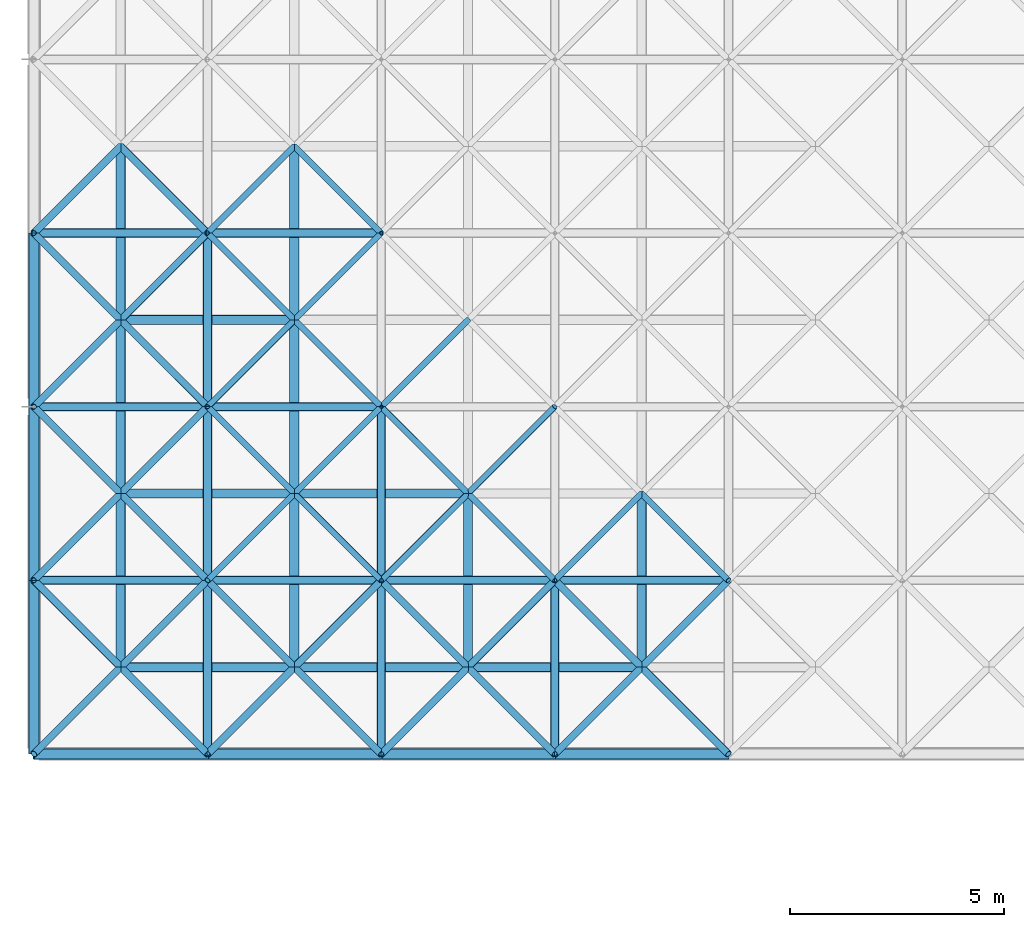
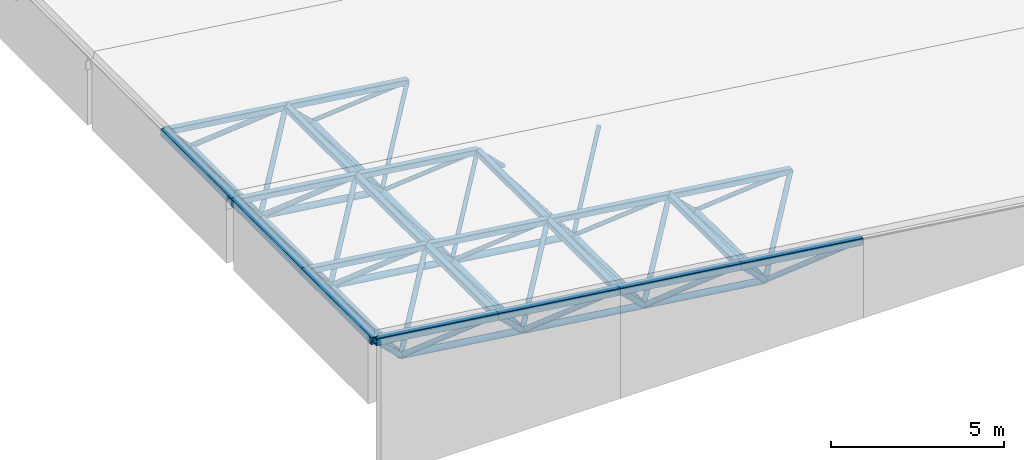
# One storey, part 14 of 70: 78 members.
"""IFC4 building model written with IfcOpenShell, lengths in metres."""

from ifc_helpers import new_model, si_unit, direction, frame, origin, origin_2d, place, context, subcontext, project, spatial, hollow_rectangle, hollow_circle, extrude, material, material_profile, profile_set, type_object, element, save


model = new_model("IFC4")

# Units and contexts
model_context = context("Model", 3, precision=1e-05, world=origin(), true_north=direction((0.0, 1.0)))
body_context = subcontext(model_context, "Body", "Model", "MODEL_VIEW")
ifc_project = project(units=[si_unit("LENGTHUNIT", "METRE"), si_unit("AREAUNIT", "SQUARE_METRE"), si_unit("VOLUMEUNIT", "CUBIC_METRE"), si_unit("PLANEANGLEUNIT", "RADIAN"), si_unit("MASSUNIT", "GRAM", prefix="KILO")], contexts=[model_context])

# Site, building, storey
site_placement = place(None, origin())
site = spatial("IfcSite", under=ifc_project, at=site_placement, CompositionType="ELEMENT")
building_placement = place(site_placement, origin())
building = spatial("IfcBuilding", under=site, at=building_placement, Name="Vaudrelin Polytechnic", CompositionType="ELEMENT")
storey_placement = place(building_placement, frame((0.0, 0.0, 14.110107421875)))
storey = spatial("IfcBuildingStorey", under=building, at=storey_placement, Name="L03", CompositionType="ELEMENT", Elevation=14.110107421875)

# Members
ifc_material = material(Name="Steel CSA G40.21 350WT", Category="steel")
ifc_material_profile_1 = material_profile(ifc_material, hollow_circle(Radius=0.109619140625, WallThickness=0.010986328125, at=origin_2d()), Name="CHS219.1x11.1")
ifc_profile_set_1 = profile_set([ifc_material_profile_1], Name="Steel CSA G40.21 350WT")
member_type_1 = type_object("IfcMemberType", Name="MEM-SF-BC1", PredefinedType="CHORD", material=ifc_profile_set_1)
for number, where, z_axis, x_axis, name in (
    (1, (2.02490234375, 42.52490234375, 2.038818359375), (0.991444732077, 0.0, -0.130527174324), (0.0, 1.0, 0.0), "Space frame bottom chord X 1-1"),
    (2, (6.074951171875, 42.52490234375, 1.505615234375), (0.991444732077, 0.0, -0.130527174324), (0.0, 1.0, 0.0), "Space frame bottom chord X 2-1"),
    (3, (10.125, 42.52490234375, 0.972412109375), (0.991444732077, 0.0, -0.130527174324), (0.0, 1.0, 0.0), "Space frame bottom chord X 3-1"),
    (4, (2.02490234375, 46.574951171875, 2.038818359375), (0.991444732077, 0.0, -0.130527174324), (0.0, 1.0, 0.0), "Space frame bottom chord X 1-2"),
    (5, (6.074951171875, 46.574951171875, 1.505615234375), (0.991444732077, 0.0, -0.130527174324), (0.0, 1.0, 0.0), "Space frame bottom chord X 2-2"),
    (6, (2.02490234375, 50.625, 2.038818359375), (0.991444732077, 0.0, -0.130527174324), (0.0, 1.0, 0.0), "Space frame bottom chord X 1-3"),
):
    element("IfcMember", number, at=place(storey_placement, frame(where, z_axis=z_axis, x_axis=x_axis)), inside=storey, type_object=member_type_1, Name=name, PredefinedType="CHORD", context=body_context, shape_type="SweptSolid", body=[
        extrude(hollow_circle(Radius=0.109619140625, WallThickness=0.010986328125, at=origin_2d()), origin(), (0.0, 0.0, 1.0), 4.0849609375),
    ])
for number, where, z_axis, x_axis, name in (
    (7, (2.02490234375, 42.52490234375, 2.038818359375), (0.0, 1.0, 0.0), (-1.0, 0.0, 0.0), "Space frame bottom chord Y 1-1"),
    (8, (2.02490234375, 46.574951171875, 2.038818359375), (0.0, 1.0, 0.0), (-1.0, 0.0, 0.0), "Space frame bottom chord Y 1-2"),
    (9, (2.02490234375, 50.625, 2.038818359375), (0.0, 1.0, 0.0), (-1.0, 0.0, 0.0), "Space frame bottom chord Y 1-3"),
    (10, (6.074951171875, 42.52490234375, 1.505615234375), (0.0, 1.0, 0.0), (-1.0, 0.0, 0.0), "Space frame bottom chord Y 2-1"),
    (11, (6.074951171875, 46.574951171875, 1.505615234375), (0.0, 1.0, 0.0), (-1.0, 0.0, 0.0), "Space frame bottom chord Y 2-2"),
    (12, (6.074951171875, 50.625, 1.505615234375), (0.0, 1.0, 0.0), (-1.0, 0.0, 0.0), "Space frame bottom chord Y 2-3"),
    (13, (10.125, 42.52490234375, 0.972412109375), (0.0, 1.0, 0.0), (-1.0, 0.0, 0.0), "Space frame bottom chord Y 3-1"),
    (14, (14.175048828125, 42.52490234375, 0.439208984375), (0.0, 1.0, 0.0), (-1.0, 0.0, 0.0), "Space frame bottom chord Y 4-1"),
):
    element("IfcMember", number, at=place(storey_placement, frame(where, z_axis=z_axis, x_axis=x_axis)), inside=storey, type_object=member_type_1, Name=name, PredefinedType="CHORD", context=body_context, shape_type="SweptSolid", body=[
        extrude(hollow_circle(Radius=0.109619140625, WallThickness=0.010986328125, at=origin_2d()), origin(), (0.0, 0.0, 1.0), 4.050048828125),
    ])
ifc_material_profile_2 = material_profile(ifc_material, hollow_rectangle(XDim=0.202880859375, YDim=0.202880859375, WallThickness=0.009521484375, InnerFilletRadius=0.009521484375, OuterFilletRadius=0.01904296875, at=origin_2d()), Name="HSS203x203x9.5")
ifc_profile_set_2 = profile_set([ifc_material_profile_2], Name="Steel CSA G40.21 350WT")
member_type_2 = type_object("IfcMemberType", Name="MEM-SF-TC1", PredefinedType="CHORD", material=ifc_profile_set_2)
for number, where, z_axis, x_axis, name in (
    (15, (0.0, 44.550048828125, 4.50537109375), (0.991444732077, 0.0, -0.130527174324), (0.0, 1.0, 0.0), "Space frame top chord X 1-2"),
    (16, (4.050048828125, 44.550048828125, 3.97216796875), (0.991452464639, 0.0, -0.130468426687), (0.0, 1.0, 0.0), "Space frame top chord X 2-2"),
):
    element("IfcMember", number, at=place(storey_placement, frame(where, z_axis=z_axis, x_axis=x_axis)), inside=storey, type_object=member_type_2, Name=name, PredefinedType="CHORD", context=body_context, shape_type="SweptSolid", body=[
        extrude(hollow_rectangle(XDim=0.202880859375, YDim=0.202880859375, WallThickness=0.009521484375, InnerFilletRadius=0.009521484375, OuterFilletRadius=0.01904296875, at=origin_2d()), origin(), (0.0, 0.0, 1.0), 4.0849609375),
    ])
member_1_placement = place(storey_placement, frame((8.10009765625, 44.550048828125, 3.439208984375), z_axis=(0.991443713746, 0.0, -0.13053490902), x_axis=(0.0, 1.0, 0.0)))
element("IfcMember", 17, at=member_1_placement, inside=storey, type_object=member_type_2, Name="Space frame top chord X 3-2", PredefinedType="CHORD", context=body_context, shape_type="SweptSolid", body=[
    extrude(hollow_rectangle(XDim=0.202880859375, YDim=0.202880859375, WallThickness=0.009521484375, InnerFilletRadius=0.009521484375, OuterFilletRadius=0.01904296875, at=origin_2d()), origin(), (0.0, 0.0, 1.0), 4.084716796875),
])
for number, where, z_axis, x_axis, name in (
    (18, (12.14990234375, 44.550048828125, 2.906005859375), (0.991444732077, 0.0, -0.130527174324), (0.0, 1.0, 0.0), "Space frame top chord X 4-2"),
    (19, (0.0, 48.60009765625, 4.50537109375), (0.991444732077, 0.0, -0.130527174324), (0.0, 1.0, 0.0), "Space frame top chord X 1-3"),
    (20, (4.050048828125, 48.60009765625, 3.97216796875), (0.991452464639, 0.0, -0.130468426687), (0.0, 1.0, 0.0), "Space frame top chord X 2-3"),
    (21, (0.0, 52.64990234375, 4.50537109375), (0.991444732077, 0.0, -0.130527174324), (0.0, 1.0, 0.0), "Space frame top chord X 1-4"),
    (22, (4.050048828125, 52.64990234375, 3.97216796875), (0.991452464639, 0.0, -0.130468426687), (0.0, 1.0, 0.0), "Space frame top chord X 2-4"),
):
    element("IfcMember", number, at=place(storey_placement, frame(where, z_axis=z_axis, x_axis=x_axis)), inside=storey, type_object=member_type_2, Name=name, PredefinedType="CHORD", context=body_context, shape_type="SweptSolid", body=[
        extrude(hollow_rectangle(XDim=0.202880859375, YDim=0.202880859375, WallThickness=0.009521484375, InnerFilletRadius=0.009521484375, OuterFilletRadius=0.01904296875, at=origin_2d()), origin(), (0.0, 0.0, 1.0), 4.0849609375),
    ])
for number, where, z_axis, x_axis, name in (
    (23, (4.050048828125, 40.5, 3.97216796875), (0.0, 1.0, 0.0), (-1.0, 0.0, 0.0), "Space frame top chord Y 2-1"),
    (24, (4.050048828125, 44.550048828125, 3.97216796875), (0.0, 1.0, 0.0), (-1.0, 0.0, 0.0), "Space frame top chord Y 2-2"),
):
    element("IfcMember", number, at=place(storey_placement, frame(where, z_axis=z_axis, x_axis=x_axis)), inside=storey, type_object=member_type_2, Name=name, PredefinedType="CHORD", context=body_context, shape_type="SweptSolid", body=[
        extrude(hollow_rectangle(XDim=0.202880859375, YDim=0.202880859375, WallThickness=0.009521484375, InnerFilletRadius=0.009521484375, OuterFilletRadius=0.01904296875, at=origin_2d()), origin(), (0.0, 0.0, 1.0), 4.050048828125),
    ])
member_2_placement = place(storey_placement, frame((4.050048828125, 48.60009765625, 3.97216796875), z_axis=(0.0, 1.0, 0.0), x_axis=(-1.0, 0.0, 0.0)))
element("IfcMember", 25, at=member_2_placement, inside=storey, type_object=member_type_2, Name="Space frame top chord Y 2-3", PredefinedType="CHORD", context=body_context, shape_type="SweptSolid", body=[
    extrude(hollow_rectangle(XDim=0.202880859375, YDim=0.202880859375, WallThickness=0.009521484375, InnerFilletRadius=0.009521484375, OuterFilletRadius=0.01904296875, at=origin_2d()), origin(), (0.0, 0.0, 1.0), 4.0498046875),
])
for number, where, z_axis, x_axis, name in (
    (26, (8.10009765625, 40.5, 3.439208984375), (0.0, 1.0, 0.0), (-1.0, 0.0, 0.0), "Space frame top chord Y 3-1"),
    (27, (8.10009765625, 44.550048828125, 3.439208984375), (0.0, 1.0, 0.0), (-1.0, 0.0, 0.0), "Space frame top chord Y 3-2"),
    (28, (12.14990234375, 40.5, 2.906005859375), (0.0, 1.0, 0.0), (-1.0, 0.0, 0.0), "Space frame top chord Y 4-1"),
):
    element("IfcMember", number, at=place(storey_placement, frame(where, z_axis=z_axis, x_axis=x_axis)), inside=storey, type_object=member_type_2, Name=name, PredefinedType="CHORD", context=body_context, shape_type="SweptSolid", body=[
        extrude(hollow_rectangle(XDim=0.202880859375, YDim=0.202880859375, WallThickness=0.009521484375, InnerFilletRadius=0.009521484375, OuterFilletRadius=0.01904296875, at=origin_2d()), origin(), (0.0, 0.0, 1.0), 4.050048828125),
    ])
ifc_material_profile_3 = material_profile(ifc_material, hollow_rectangle(XDim=0.25390625, YDim=0.25390625, WallThickness=0.0126953125, InnerFilletRadius=0.0126953125, OuterFilletRadius=0.025390625, at=origin_2d()), Name="HSS254x254x12.7")
ifc_profile_set_3 = profile_set([ifc_material_profile_3], Name="Steel CSA G40.21 350WT")
member_type_3 = type_object("IfcMemberType", Name="MEM-SF-TC2", PredefinedType="CHORD", material=ifc_profile_set_3)
for number, where, z_axis, x_axis, name in (
    (29, (0.0, 40.5, 4.50537109375), (0.991444732077, 0.0, -0.130527174324), (0.0, 1.0, 0.0), "Space frame top chord X 1-1"),
    (30, (4.050048828125, 40.5, 3.97216796875), (0.991452464639, 0.0, -0.130468426687), (0.0, 1.0, 0.0), "Space frame top chord X 2-1"),
):
    element("IfcMember", number, at=place(storey_placement, frame(where, z_axis=z_axis, x_axis=x_axis)), inside=storey, type_object=member_type_3, Name=name, PredefinedType="CHORD", context=body_context, shape_type="SweptSolid", body=[
        extrude(hollow_rectangle(XDim=0.25390625, YDim=0.25390625, WallThickness=0.0126953125, InnerFilletRadius=0.0126953125, OuterFilletRadius=0.025390625, at=origin_2d()), origin(), (0.0, 0.0, 1.0), 4.0849609375),
    ])
member_3_placement = place(storey_placement, frame((8.10009765625, 40.5, 3.439208984375), z_axis=(0.991443713746, 0.0, -0.13053490902), x_axis=(0.0, 1.0, 0.0)))
element("IfcMember", 31, at=member_3_placement, inside=storey, type_object=member_type_3, Name="Space frame top chord X 3-1", PredefinedType="CHORD", context=body_context, shape_type="SweptSolid", body=[
    extrude(hollow_rectangle(XDim=0.25390625, YDim=0.25390625, WallThickness=0.0126953125, InnerFilletRadius=0.0126953125, OuterFilletRadius=0.025390625, at=origin_2d()), origin(), (0.0, 0.0, 1.0), 4.084716796875),
])
member_4_placement = place(storey_placement, frame((12.14990234375, 40.5, 2.906005859375), z_axis=(0.991444732077, 0.0, -0.130527174324), x_axis=(0.0, 1.0, 0.0)))
element("IfcMember", 32, at=member_4_placement, inside=storey, type_object=member_type_3, Name="Space frame top chord X 4-1", PredefinedType="CHORD", context=body_context, shape_type="SweptSolid", body=[
    extrude(hollow_rectangle(XDim=0.25390625, YDim=0.25390625, WallThickness=0.0126953125, InnerFilletRadius=0.0126953125, OuterFilletRadius=0.025390625, at=origin_2d()), origin(), (0.0, 0.0, 1.0), 4.0849609375),
])
for number, where, z_axis, x_axis, name in (
    (33, (0.0, 40.5, 4.50537109375), (0.0, 1.0, 0.0), (-1.0, 0.0, 0.0), "Space frame top chord Y 1-1"),
    (34, (0.0, 44.550048828125, 4.50537109375), (0.0, 1.0, 0.0), (-1.0, 0.0, 0.0), "Space frame top chord Y 1-2"),
):
    element("IfcMember", number, at=place(storey_placement, frame(where, z_axis=z_axis, x_axis=x_axis)), inside=storey, type_object=member_type_3, Name=name, PredefinedType="CHORD", context=body_context, shape_type="SweptSolid", body=[
        extrude(hollow_rectangle(XDim=0.25390625, YDim=0.25390625, WallThickness=0.0126953125, InnerFilletRadius=0.0126953125, OuterFilletRadius=0.025390625, at=origin_2d()), origin(), (0.0, 0.0, 1.0), 4.050048828125),
    ])
member_5_placement = place(storey_placement, frame((0.0, 48.60009765625, 4.50537109375), z_axis=(0.0, 1.0, 0.0), x_axis=(-1.0, 0.0, 0.0)))
element("IfcMember", 35, at=member_5_placement, inside=storey, type_object=member_type_3, Name="Space frame top chord Y 1-3", PredefinedType="CHORD", context=body_context, shape_type="SweptSolid", body=[
    extrude(hollow_rectangle(XDim=0.25390625, YDim=0.25390625, WallThickness=0.0126953125, InnerFilletRadius=0.0126953125, OuterFilletRadius=0.025390625, at=origin_2d()), origin(), (0.0, 0.0, 1.0), 4.0498046875),
])
ifc_material_profile_4 = material_profile(ifc_material, hollow_circle(Radius=0.06982421875, WallThickness=0.008056640625, at=origin_2d()), Name="CHS139.7x8.0")
ifc_profile_set_4 = profile_set([ifc_material_profile_4], Name="Steel CSA G40.21 350WT")
member_type_4 = type_object("IfcMemberType", Name="MEM-SF-WB1", PredefinedType="BRACE", material=ifc_profile_set_4)
member_6_placement = place(storey_placement, frame((6.074951171875, 46.574951171875, 1.505615234375), z_axis=(-0.535764547812, -0.535764547812, 0.652619872986), x_axis=(0.707106781187, -0.707106781187, 0.0)))
element("IfcMember", 36, at=member_6_placement, inside=storey, type_object=member_type_4, Name="Space frame web diagonal 2.2.1", PredefinedType="BRACE", context=body_context, shape_type="SweptSolid", body=[
    extrude(hollow_circle(Radius=0.06982421875, WallThickness=0.008056640625, at=origin_2d()), origin(), (0.0, 0.0, 1.0), 3.779541015625),
])
for number, where, z_axis, x_axis, name in (
    (37, (6.074951171875, 46.574951171875, 1.505615234375), (0.586070753284, -0.586000099787, 0.559575692105), (0.707064154862, 0.707149404941, 0.0), "Space frame web diagonal 2.2.2"),
    (38, (6.074951171875, 46.574951171875, 1.505615234375), (0.586046488267, 0.586046488267, 0.559552524059), (-0.707106781187, 0.707106781187, 0.0), "Space frame web diagonal 2.2.3"),
):
    element("IfcMember", number, at=place(storey_placement, frame(where, z_axis=z_axis, x_axis=x_axis)), inside=storey, type_object=member_type_4, Name=name, PredefinedType="BRACE", context=body_context, shape_type="SweptSolid", body=[
        extrude(hollow_circle(Radius=0.06982421875, WallThickness=0.008056640625, at=origin_2d()), origin(), (0.0, 0.0, 1.0), 3.45556640625),
    ])
for number, where, z_axis, x_axis, name in (
    (39, (6.074951171875, 46.574951171875, 1.505615234375), (-0.535746005601, 0.535810600007, 0.652597286543), (-0.707149404941, -0.707064154862, 0.0), "Space frame web diagonal 2.2.4"),
    (40, (6.074951171875, 50.625, 1.505615234375), (-0.535764547812, -0.535764547812, 0.652619872986), (0.707106781187, -0.707106781187, 0.0), "Space frame web diagonal 2.3.1"),
):
    element("IfcMember", number, at=place(storey_placement, frame(where, z_axis=z_axis, x_axis=x_axis)), inside=storey, type_object=member_type_4, Name=name, PredefinedType="BRACE", context=body_context, shape_type="SweptSolid", body=[
        extrude(hollow_circle(Radius=0.06982421875, WallThickness=0.008056640625, at=origin_2d()), origin(), (0.0, 0.0, 1.0), 3.779541015625),
    ])
for number, where, z_axis, x_axis, name in (
    (41, (6.074951171875, 50.625, 1.505615234375), (0.586070753284, -0.586000099787, 0.559575692105), (0.707064154862, 0.707149404941, 0.0), "Space frame web diagonal 2.3.2"),
    (42, (6.074951171875, 50.625, 1.505615234375), (0.586070753284, 0.586000099787, 0.559575692105), (-0.707064154862, 0.707149404941, 0.0), "Space frame web diagonal 2.3.3"),
):
    element("IfcMember", number, at=place(storey_placement, frame(where, z_axis=z_axis, x_axis=x_axis)), inside=storey, type_object=member_type_4, Name=name, PredefinedType="BRACE", context=body_context, shape_type="SweptSolid", body=[
        extrude(hollow_circle(Radius=0.06982421875, WallThickness=0.008056640625, at=origin_2d()), origin(), (0.0, 0.0, 1.0), 3.45556640625),
    ])
for number, where, z_axis, x_axis, name in (
    (43, (6.074951171875, 50.625, 1.505615234375), (-0.535764547812, 0.535764547812, 0.652619872986), (-0.707106781187, -0.707106781187, 0.0), "Space frame web diagonal 2.3.4"),
    (44, (6.074951171875, 54.675048828125, 1.505615234375), (-0.535746005601, -0.535810600007, 0.652597286543), (0.707149404941, -0.707064154862, 0.0), "Space frame web diagonal 2.4.1"),
):
    element("IfcMember", number, at=place(storey_placement, frame(where, z_axis=z_axis, x_axis=x_axis)), inside=storey, type_object=member_type_4, Name=name, PredefinedType="BRACE", context=body_context, shape_type="SweptSolid", body=[
        extrude(hollow_circle(Radius=0.06982421875, WallThickness=0.008056640625, at=origin_2d()), origin(), (0.0, 0.0, 1.0), 3.779541015625),
    ])
member_7_placement = place(storey_placement, frame((6.074951171875, 54.675048828125, 1.505615234375), z_axis=(0.586046488267, -0.586046488267, 0.559552524059), x_axis=(0.707106781187, 0.707106781187, 0.0)))
element("IfcMember", 45, at=member_7_placement, inside=storey, type_object=member_type_4, Name="Space frame web diagonal 2.4.2", PredefinedType="BRACE", context=body_context, shape_type="SweptSolid", body=[
    extrude(hollow_circle(Radius=0.06982421875, WallThickness=0.008056640625, at=origin_2d()), origin(), (0.0, 0.0, 1.0), 3.45556640625),
])
member_8_placement = place(storey_placement, frame((10.125, 46.574951171875, 0.972412109375), z_axis=(-0.535741961868, -0.535741961868, 0.652656954753), x_axis=(0.707106781187, -0.707106781187, 0.0)))
element("IfcMember", 46, at=member_8_placement, inside=storey, type_object=member_type_4, Name="Space frame web diagonal 3.2.1", PredefinedType="BRACE", context=body_context, shape_type="SweptSolid", body=[
    extrude(hollow_circle(Radius=0.06982421875, WallThickness=0.008056640625, at=origin_2d()), origin(), (0.0, 0.0, 1.0), 3.779541015625),
])
member_9_placement = place(storey_placement, frame((10.125, 46.574951171875, 0.972412109375), z_axis=(0.586024364893, -0.586024364893, 0.559598863028), x_axis=(0.707106781187, 0.707106781187, 0.0)))
element("IfcMember", 47, at=member_9_placement, inside=storey, type_object=member_type_4, Name="Space frame web diagonal 3.2.2", PredefinedType="BRACE", context=body_context, shape_type="SweptSolid", body=[
    extrude(hollow_circle(Radius=0.06982421875, WallThickness=0.008056640625, at=origin_2d()), origin(), (0.0, 0.0, 1.0), 3.455322265625),
])
member_10_placement = place(storey_placement, frame((10.125, 46.574951171875, 0.972412109375), z_axis=(0.586000099787, 0.586070753284, 0.559575692105), x_axis=(-0.707149404941, 0.707064154862, 0.0)))
element("IfcMember", 48, at=member_10_placement, inside=storey, type_object=member_type_4, Name="Space frame web diagonal 3.2.3", PredefinedType="BRACE", context=body_context, shape_type="SweptSolid", body=[
    extrude(hollow_circle(Radius=0.06982421875, WallThickness=0.008056640625, at=origin_2d()), origin(), (0.0, 0.0, 1.0), 3.45556640625),
])
member_11_placement = place(storey_placement, frame((10.125, 46.574951171875, 0.972412109375), z_axis=(-0.535723422002, 0.535788013686, 0.65263436893), x_axis=(-0.707149404941, -0.707064154862, 0.0)))
element("IfcMember", 49, at=member_11_placement, inside=storey, type_object=member_type_4, Name="Space frame web diagonal 3.2.4", PredefinedType="BRACE", context=body_context, shape_type="SweptSolid", body=[
    extrude(hollow_circle(Radius=0.06982421875, WallThickness=0.008056640625, at=origin_2d()), origin(), (0.0, 0.0, 1.0), 3.77978515625),
])
member_12_placement = place(storey_placement, frame((10.125, 50.625, 0.972412109375), z_axis=(-0.535741961868, -0.535741961868, 0.652656954753), x_axis=(0.707106781187, -0.707106781187, 0.0)))
element("IfcMember", 50, at=member_12_placement, inside=storey, type_object=member_type_4, Name="Space frame web diagonal 3.3.1", PredefinedType="BRACE", context=body_context, shape_type="SweptSolid", body=[
    extrude(hollow_circle(Radius=0.06982421875, WallThickness=0.008056640625, at=origin_2d()), origin(), (0.0, 0.0, 1.0), 3.779541015625),
])
member_13_placement = place(storey_placement, frame((14.175048828125, 46.574951171875, 0.439208984375), z_axis=(-0.535788013686, -0.535723422002, 0.65263436893), x_axis=(0.707064154862, -0.707149404941, 0.0)))
element("IfcMember", 51, at=member_13_placement, inside=storey, type_object=member_type_4, Name="Space frame web diagonal 4.2.1", PredefinedType="BRACE", context=body_context, shape_type="SweptSolid", body=[
    extrude(hollow_circle(Radius=0.06982421875, WallThickness=0.008056640625, at=origin_2d()), origin(), (0.0, 0.0, 1.0), 3.77978515625),
])
member_14_placement = place(storey_placement, frame((14.175048828125, 46.574951171875, 0.439208984375), z_axis=(0.586024364893, -0.586024364893, 0.559598863028), x_axis=(0.707106781187, 0.707106781187, 0.0)))
element("IfcMember", 52, at=member_14_placement, inside=storey, type_object=member_type_4, Name="Space frame web diagonal 4.2.2", PredefinedType="BRACE", context=body_context, shape_type="SweptSolid", body=[
    extrude(hollow_circle(Radius=0.06982421875, WallThickness=0.008056640625, at=origin_2d()), origin(), (0.0, 0.0, 1.0), 3.455322265625),
])
ifc_material_profile_5 = material_profile(ifc_material, hollow_circle(Radius=0.084228515625, WallThickness=0.009521484375, at=origin_2d()), Name="CHS168.3x9.5")
ifc_profile_set_5 = profile_set([ifc_material_profile_5], Name="Steel CSA G40.21 350WT")
member_type_5 = type_object("IfcMemberType", Name="MEM-SF-WB2", PredefinedType="BRACE", material=ifc_profile_set_5)
member_15_placement = place(storey_placement, frame((2.02490234375, 42.52490234375, 2.038818359375), z_axis=(-0.535764547812, -0.535764547812, 0.652619872986), x_axis=(0.707106781187, -0.707106781187, 0.0)))
element("IfcMember", 53, at=member_15_placement, inside=storey, type_object=member_type_5, Name="Space frame web diagonal 1.1.1", PredefinedType="BRACE", context=body_context, shape_type="SweptSolid", body=[
    extrude(hollow_circle(Radius=0.084228515625, WallThickness=0.009521484375, at=origin_2d()), origin(), (0.0, 0.0, 1.0), 3.779541015625),
])
member_16_placement = place(storey_placement, frame((2.02490234375, 42.52490234375, 2.038818359375), z_axis=(0.586093924076, -0.586023267786, 0.559527159103), x_axis=(0.707064154862, 0.707149404941, 0.0)))
element("IfcMember", 54, at=member_16_placement, inside=storey, type_object=member_type_5, Name="Space frame web diagonal 1.1.2", PredefinedType="BRACE", context=body_context, shape_type="SweptSolid", body=[
    extrude(hollow_circle(Radius=0.084228515625, WallThickness=0.009521484375, at=origin_2d()), origin(), (0.0, 0.0, 1.0), 3.455322265625),
])
member_17_placement = place(storey_placement, frame((2.02490234375, 42.52490234375, 2.038818359375), z_axis=(0.586069656181, 0.586069656181, 0.559503991235), x_axis=(-0.707106781187, 0.707106781187, 0.0)))
element("IfcMember", 55, at=member_17_placement, inside=storey, type_object=member_type_5, Name="Space frame web diagonal 1.1.3", PredefinedType="BRACE", context=body_context, shape_type="SweptSolid", body=[
    extrude(hollow_circle(Radius=0.084228515625, WallThickness=0.009521484375, at=origin_2d()), origin(), (0.0, 0.0, 1.0), 3.45556640625),
])
for number, where, z_axis, x_axis, name in (
    (56, (2.02490234375, 42.52490234375, 2.038818359375), (-0.535746005601, 0.535810600007, 0.652597286543), (-0.707149404941, -0.707064154862, 0.0), "Space frame web diagonal 1.1.4"),
    (57, (2.02490234375, 46.574951171875, 2.038818359375), (-0.535764547812, -0.535764547812, 0.652619872986), (0.707106781187, -0.707106781187, 0.0), "Space frame web diagonal 1.2.1"),
):
    element("IfcMember", number, at=place(storey_placement, frame(where, z_axis=z_axis, x_axis=x_axis)), inside=storey, type_object=member_type_5, Name=name, PredefinedType="BRACE", context=body_context, shape_type="SweptSolid", body=[
        extrude(hollow_circle(Radius=0.084228515625, WallThickness=0.009521484375, at=origin_2d()), origin(), (0.0, 0.0, 1.0), 3.779541015625),
    ])
member_18_placement = place(storey_placement, frame((2.02490234375, 46.574951171875, 2.038818359375), z_axis=(0.586093924076, -0.586023267786, 0.559527159103), x_axis=(0.707064154862, 0.707149404941, 0.0)))
element("IfcMember", 58, at=member_18_placement, inside=storey, type_object=member_type_5, Name="Space frame web diagonal 1.2.2", PredefinedType="BRACE", context=body_context, shape_type="SweptSolid", body=[
    extrude(hollow_circle(Radius=0.084228515625, WallThickness=0.009521484375, at=origin_2d()), origin(), (0.0, 0.0, 1.0), 3.455322265625),
])
member_19_placement = place(storey_placement, frame((2.02490234375, 46.574951171875, 2.038818359375), z_axis=(0.586069656181, 0.586069656181, 0.559503991235), x_axis=(-0.707106781187, 0.707106781187, 0.0)))
element("IfcMember", 59, at=member_19_placement, inside=storey, type_object=member_type_5, Name="Space frame web diagonal 1.2.3", PredefinedType="BRACE", context=body_context, shape_type="SweptSolid", body=[
    extrude(hollow_circle(Radius=0.084228515625, WallThickness=0.009521484375, at=origin_2d()), origin(), (0.0, 0.0, 1.0), 3.45556640625),
])
for number, where, z_axis, x_axis, name in (
    (60, (2.02490234375, 46.574951171875, 2.038818359375), (-0.535746005601, 0.535810600007, 0.652597286543), (-0.707149404941, -0.707064154862, 0.0), "Space frame web diagonal 1.2.4"),
    (61, (2.02490234375, 50.625, 2.038818359375), (-0.535764547812, -0.535764547812, 0.652619872986), (0.707106781187, -0.707106781187, 0.0), "Space frame web diagonal 1.3.1"),
):
    element("IfcMember", number, at=place(storey_placement, frame(where, z_axis=z_axis, x_axis=x_axis)), inside=storey, type_object=member_type_5, Name=name, PredefinedType="BRACE", context=body_context, shape_type="SweptSolid", body=[
        extrude(hollow_circle(Radius=0.084228515625, WallThickness=0.009521484375, at=origin_2d()), origin(), (0.0, 0.0, 1.0), 3.779541015625),
    ])
for number, where, z_axis, x_axis, name in (
    (62, (2.02490234375, 50.625, 2.038818359375), (0.586093924076, -0.586023267786, 0.559527159103), (0.707064154862, 0.707149404941, 0.0), "Space frame web diagonal 1.3.2"),
    (63, (2.02490234375, 50.625, 2.038818359375), (0.586093924076, 0.586023267786, 0.559527159103), (-0.707064154862, 0.707149404941, 0.0), "Space frame web diagonal 1.3.3"),
):
    element("IfcMember", number, at=place(storey_placement, frame(where, z_axis=z_axis, x_axis=x_axis)), inside=storey, type_object=member_type_5, Name=name, PredefinedType="BRACE", context=body_context, shape_type="SweptSolid", body=[
        extrude(hollow_circle(Radius=0.084228515625, WallThickness=0.009521484375, at=origin_2d()), origin(), (0.0, 0.0, 1.0), 3.455322265625),
    ])
for number, where, z_axis, x_axis, name in (
    (64, (2.02490234375, 50.625, 2.038818359375), (-0.535764547812, 0.535764547812, 0.652619872986), (-0.707106781187, -0.707106781187, 0.0), "Space frame web diagonal 1.3.4"),
    (65, (2.02490234375, 54.675048828125, 2.038818359375), (-0.535746005601, -0.535810600007, 0.652597286543), (0.707149404941, -0.707064154862, 0.0), "Space frame web diagonal 1.4.1"),
):
    element("IfcMember", number, at=place(storey_placement, frame(where, z_axis=z_axis, x_axis=x_axis)), inside=storey, type_object=member_type_5, Name=name, PredefinedType="BRACE", context=body_context, shape_type="SweptSolid", body=[
        extrude(hollow_circle(Radius=0.084228515625, WallThickness=0.009521484375, at=origin_2d()), origin(), (0.0, 0.0, 1.0), 3.779541015625),
    ])
member_20_placement = place(storey_placement, frame((2.02490234375, 54.675048828125, 2.038818359375), z_axis=(0.586069656181, -0.586069656181, 0.559503991235), x_axis=(0.707106781187, 0.707106781187, 0.0)))
element("IfcMember", 66, at=member_20_placement, inside=storey, type_object=member_type_5, Name="Space frame web diagonal 1.4.2", PredefinedType="BRACE", context=body_context, shape_type="SweptSolid", body=[
    extrude(hollow_circle(Radius=0.084228515625, WallThickness=0.009521484375, at=origin_2d()), origin(), (0.0, 0.0, 1.0), 3.45556640625),
])
member_21_placement = place(storey_placement, frame((6.074951171875, 42.52490234375, 1.505615234375), z_axis=(-0.535764547812, -0.535764547812, 0.652619872986), x_axis=(0.707106781187, -0.707106781187, 0.0)))
element("IfcMember", 67, at=member_21_placement, inside=storey, type_object=member_type_5, Name="Space frame web diagonal 2.1.1", PredefinedType="BRACE", context=body_context, shape_type="SweptSolid", body=[
    extrude(hollow_circle(Radius=0.084228515625, WallThickness=0.009521484375, at=origin_2d()), origin(), (0.0, 0.0, 1.0), 3.779541015625),
])
for number, where, z_axis, x_axis, name in (
    (68, (6.074951171875, 42.52490234375, 1.505615234375), (0.586070753284, -0.586000099787, 0.559575692105), (0.707064154862, 0.707149404941, 0.0), "Space frame web diagonal 2.1.2"),
    (69, (6.074951171875, 42.52490234375, 1.505615234375), (0.586046488267, 0.586046488267, 0.559552524059), (-0.707106781187, 0.707106781187, 0.0), "Space frame web diagonal 2.1.3"),
):
    element("IfcMember", number, at=place(storey_placement, frame(where, z_axis=z_axis, x_axis=x_axis)), inside=storey, type_object=member_type_5, Name=name, PredefinedType="BRACE", context=body_context, shape_type="SweptSolid", body=[
        extrude(hollow_circle(Radius=0.084228515625, WallThickness=0.009521484375, at=origin_2d()), origin(), (0.0, 0.0, 1.0), 3.45556640625),
    ])
for number, where, z_axis, x_axis, name in (
    (70, (6.074951171875, 42.52490234375, 1.505615234375), (-0.535746005601, 0.535810600007, 0.652597286543), (-0.707149404941, -0.707064154862, 0.0), "Space frame web diagonal 2.1.4"),
    (71, (10.125, 42.52490234375, 0.972412109375), (-0.535741961868, -0.535741961868, 0.652656954753), (0.707106781187, -0.707106781187, 0.0), "Space frame web diagonal 3.1.1"),
):
    element("IfcMember", number, at=place(storey_placement, frame(where, z_axis=z_axis, x_axis=x_axis)), inside=storey, type_object=member_type_5, Name=name, PredefinedType="BRACE", context=body_context, shape_type="SweptSolid", body=[
        extrude(hollow_circle(Radius=0.084228515625, WallThickness=0.009521484375, at=origin_2d()), origin(), (0.0, 0.0, 1.0), 3.779541015625),
    ])
member_22_placement = place(storey_placement, frame((10.125, 42.52490234375, 0.972412109375), z_axis=(0.586024364893, -0.586024364893, 0.559598863028), x_axis=(0.707106781187, 0.707106781187, 0.0)))
element("IfcMember", 72, at=member_22_placement, inside=storey, type_object=member_type_5, Name="Space frame web diagonal 3.1.2", PredefinedType="BRACE", context=body_context, shape_type="SweptSolid", body=[
    extrude(hollow_circle(Radius=0.084228515625, WallThickness=0.009521484375, at=origin_2d()), origin(), (0.0, 0.0, 1.0), 3.455322265625),
])
member_23_placement = place(storey_placement, frame((10.125, 42.52490234375, 0.972412109375), z_axis=(0.586000099787, 0.586070753284, 0.559575692105), x_axis=(-0.707149404941, 0.707064154862, 0.0)))
element("IfcMember", 73, at=member_23_placement, inside=storey, type_object=member_type_5, Name="Space frame web diagonal 3.1.3", PredefinedType="BRACE", context=body_context, shape_type="SweptSolid", body=[
    extrude(hollow_circle(Radius=0.084228515625, WallThickness=0.009521484375, at=origin_2d()), origin(), (0.0, 0.0, 1.0), 3.45556640625),
])
for number, where, z_axis, x_axis, name in (
    (74, (10.125, 42.52490234375, 0.972412109375), (-0.535723422002, 0.535788013686, 0.65263436893), (-0.707149404941, -0.707064154862, 0.0), "Space frame web diagonal 3.1.4"),
    (75, (14.175048828125, 42.52490234375, 0.439208984375), (-0.535788013686, -0.535723422002, 0.65263436893), (0.707064154862, -0.707149404941, 0.0), "Space frame web diagonal 4.1.1"),
):
    element("IfcMember", number, at=place(storey_placement, frame(where, z_axis=z_axis, x_axis=x_axis)), inside=storey, type_object=member_type_5, Name=name, PredefinedType="BRACE", context=body_context, shape_type="SweptSolid", body=[
        extrude(hollow_circle(Radius=0.084228515625, WallThickness=0.009521484375, at=origin_2d()), origin(), (0.0, 0.0, 1.0), 3.77978515625),
    ])
member_24_placement = place(storey_placement, frame((14.175048828125, 42.52490234375, 0.439208984375), z_axis=(0.586024364893, -0.586024364893, 0.559598863028), x_axis=(0.707106781187, 0.707106781187, 0.0)))
element("IfcMember", 76, at=member_24_placement, inside=storey, type_object=member_type_5, Name="Space frame web diagonal 4.1.2", PredefinedType="BRACE", context=body_context, shape_type="SweptSolid", body=[
    extrude(hollow_circle(Radius=0.084228515625, WallThickness=0.009521484375, at=origin_2d()), origin(), (0.0, 0.0, 1.0), 3.455322265625),
])
member_25_placement = place(storey_placement, frame((14.175048828125, 42.52490234375, 0.439208984375), z_axis=(0.586000099787, 0.586070753284, 0.559575692105), x_axis=(-0.707149404941, 0.707064154862, 0.0)))
element("IfcMember", 77, at=member_25_placement, inside=storey, type_object=member_type_5, Name="Space frame web diagonal 4.1.3", PredefinedType="BRACE", context=body_context, shape_type="SweptSolid", body=[
    extrude(hollow_circle(Radius=0.084228515625, WallThickness=0.009521484375, at=origin_2d()), origin(), (0.0, 0.0, 1.0), 3.45556640625),
])
member_26_placement = place(storey_placement, frame((14.175048828125, 42.52490234375, 0.439208984375), z_axis=(-0.535769473509, 0.535769473509, 0.652611785453), x_axis=(-0.707106781187, -0.707106781187, 0.0)))
element("IfcMember", 78, at=member_26_placement, inside=storey, type_object=member_type_5, Name="Space frame web diagonal 4.1.4", PredefinedType="BRACE", context=body_context, shape_type="SweptSolid", body=[
    extrude(hollow_circle(Radius=0.084228515625, WallThickness=0.009521484375, at=origin_2d()), origin(), (0.0, 0.0, 1.0), 3.77978515625),
])

save(model, "model.ifc")
